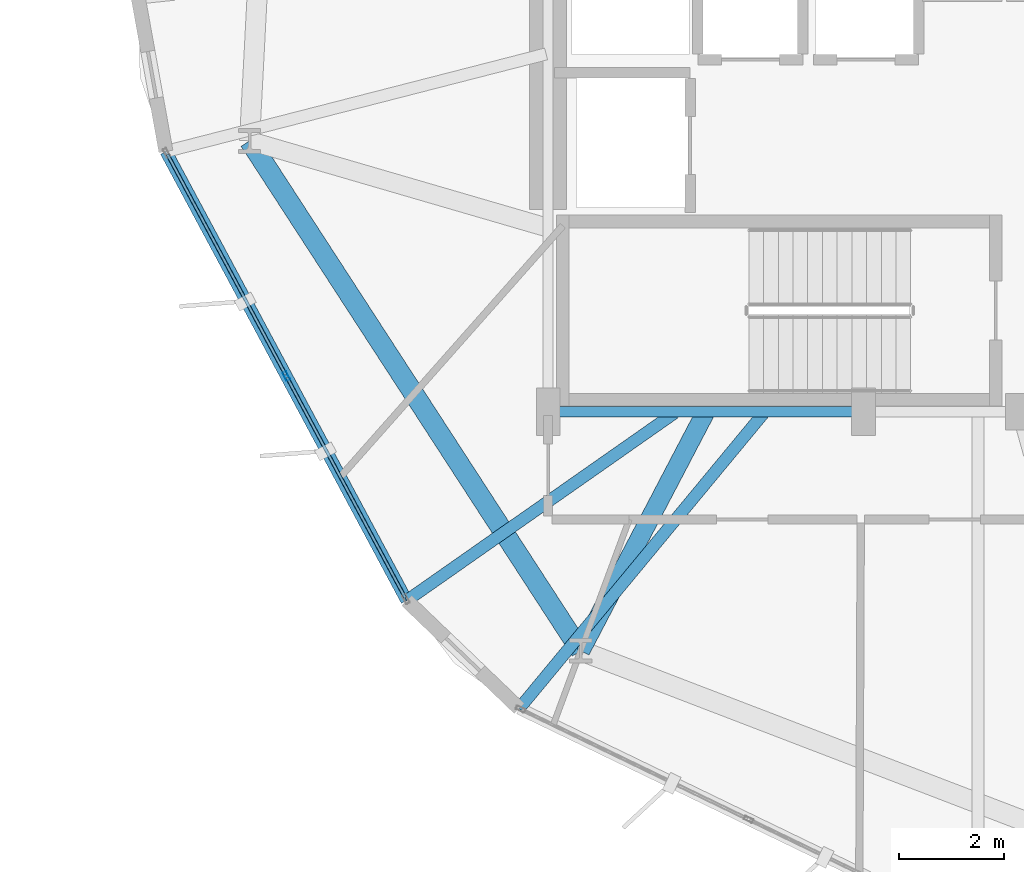
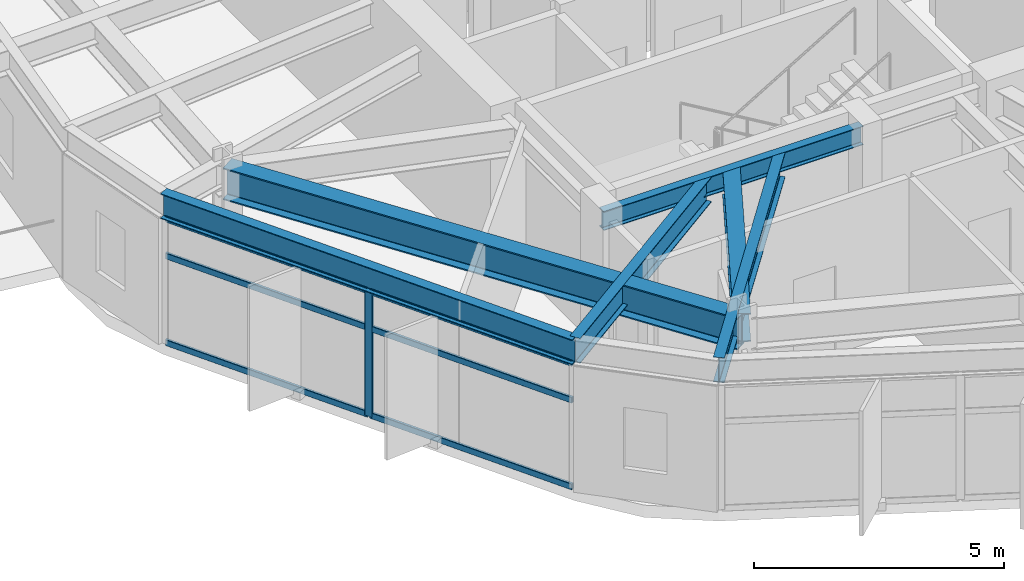
# One storey, part 3 of 22: 7 members, 6 beams, 1 element without a shape of its own.
"""IFC4 building model written with IfcOpenShell, lengths in metres."""

from ifc_helpers import new_model, si_unit, direction, frame, origin, origin_2d, place, context, subcontext, project, spatial, hollow_rectangle, i_section, extrude, material, layer, layer_set, material_profile, profile_set, type_object, element, aggregate, save


model = new_model("IFC4")

# Units and contexts
model_context = context("Model", 3, precision=1e-05, world=origin(), true_north=direction((0.0, 1.0)))
body_context = subcontext(model_context, "Body", "Model", "MODEL_VIEW")
ifc_project = project(units=[si_unit("LENGTHUNIT", "METRE"), si_unit("AREAUNIT", "SQUARE_METRE"), si_unit("VOLUMEUNIT", "CUBIC_METRE"), si_unit("PLANEANGLEUNIT", "RADIAN"), si_unit("MASSUNIT", "GRAM", prefix="KILO")], contexts=[model_context])

# Site, building, storey
site_placement = place(None, origin())
site = spatial("IfcSite", under=ifc_project, at=site_placement, CompositionType="ELEMENT")
building_placement = place(site_placement, origin())
building = spatial("IfcBuilding", under=site, at=building_placement, Name="Soratama Intermodal Tower", CompositionType="ELEMENT")
storey_placement = place(building_placement, frame((0.0, 0.0, 66.60009765625)))
storey = spatial("IfcBuildingStorey", under=building, at=storey_placement, Name="L15", CompositionType="ELEMENT", Elevation=66.60009765625)

# Beams
ifc_material_1 = material(Name="Structural steel ASTM A992 Grade 50", Category="steel")
ifc_material_profile_1 = material_profile(ifc_material_1, i_section(OverallWidth=0.19091796875, OverallDepth=0.4599609375, WebThickness=0.010009765625, FlangeThickness=0.01611328125, FilletRadius=0.010986328125, at=origin_2d()), Name="W18X55")
ifc_profile_set_1 = profile_set([ifc_material_profile_1], Name="Structural steel ASTM A992 Grade 50")
beam_type_1 = type_object("IfcBeamType", Name="BM-FLR-W18X55", PredefinedType="BEAM", material=ifc_profile_set_1)
beam_1_placement = place(storey_placement, frame((32.60009765625, 15.0, 3.469970703125), z_axis=(1.0, 0.0, 0.0), x_axis=(0.0, 1.0, 0.0)))
element("IfcBeam", 1, at=beam_1_placement, inside=storey, type_object=beam_type_1, Name="BM-L15-CRING-01", PredefinedType="BEAM", context=body_context, shape_type="SweptSolid", body=[
    extrude(i_section(OverallWidth=0.19091796875, OverallDepth=0.4599609375, WebThickness=0.010009765625, FlangeThickness=0.01611328125, FilletRadius=0.010986328125, at=origin_2d()), origin(), (0.0, 0.0, 1.0), 6.0),
])
ifc_material_2 = material(Name="Structural steel ASTM A992 Grade 50", Category="steel")
ifc_material_profile_2 = material_profile(ifc_material_2, i_section(OverallWidth=0.35498046875, OverallDepth=0.695068359375, WebThickness=0.015380859375, FlangeThickness=0.02490234375, FilletRadius=0.01611328125, at=origin_2d()), Name="W27X146")
ifc_profile_set_2 = profile_set([ifc_material_profile_2], Name="Structural steel ASTM A992 Grade 50")
beam_type_2 = type_object("IfcBeamType", Name="BM-RING-W27X146", PredefinedType="BEAM", material=ifc_profile_set_2)
beam_2_placement = place(storey_placement, frame((35.60009765625, 15.0, 3.352294921875), z_axis=(-0.463818619792, -0.885930182314, 0.0), x_axis=(0.885930182314, -0.463818619792, 0.0)))
element("IfcBeam", 2, at=beam_2_placement, inside=storey, type_object=beam_type_2, Name="BM-L15-RAD-07", PredefinedType="BEAM", context=body_context, shape_type="SweptSolid", body=[
    extrude(i_section(OverallWidth=0.35498046875, OverallDepth=0.695068359375, WebThickness=0.015380859375, FlangeThickness=0.02490234375, FilletRadius=0.01611328125, at=origin_2d()), origin(), (0.0, 0.0, 1.0), 5.1337890625),
])
ifc_material_3 = material(Name="Structural steel ASTM A992 Grade 50", Category="steel")
ifc_material_profile_3 = material_profile(ifc_material_3, i_section(OverallWidth=0.382080078125, OverallDepth=0.779052734375, WebThickness=0.01806640625, FlangeThickness=0.030029296875, FilletRadius=0.01806640625, at=origin_2d()), Name="W30X191")
ifc_profile_set_3 = profile_set([ifc_material_profile_3], Name="Structural steel ASTM A992 Grade 50")
beam_type_3 = type_object("IfcBeamType", Name="BM-RING-W30X191", PredefinedType="BEAM", material=ifc_profile_set_3)
beam_3_placement = place(storey_placement, frame((26.91796875, 20.155029296875, 3.310302734375), z_axis=(0.544623370352, -0.838680740489, 0.0), x_axis=(0.838680740489, 0.544623370352, 0.0)))
element("IfcBeam", 3, at=beam_3_placement, inside=storey, type_object=beam_type_3, Name="BM-L15-RING-06", PredefinedType="BEAM", context=body_context, shape_type="SweptSolid", body=[
    extrude(i_section(OverallWidth=0.382080078125, OverallDepth=0.779052734375, WebThickness=0.01806640625, FlangeThickness=0.030029296875, FilletRadius=0.01806640625, at=origin_2d()), origin(), (0.0, 0.0, 1.0), 11.569580078125),
])
ifc_material_4 = material(Name="Structural steel ASTM A992 Grade 50", Category="steel")
ifc_material_profile_4 = material_profile(ifc_material_4, i_section(OverallWidth=0.22900390625, OverallDepth=0.612060546875, WebThickness=0.011962890625, FlangeThickness=0.01953125, FilletRadius=0.012939453125, at=origin_2d()), Name="W24X84")
ifc_profile_set_4 = profile_set([ifc_material_profile_4], Name="Structural steel ASTM A992 Grade 50")
beam_type_4 = type_object("IfcBeamType", Name="BM-SPN-W24X84", PredefinedType="SPANDREL", material=ifc_profile_set_4)
beam_4_placement = place(storey_placement, frame((25.325927734375, 19.952880859375, 3.393798828125), z_axis=(0.472567875196, -0.881294277374, 0.0), x_axis=(0.881294277374, 0.472567875196, 0.0)))
element("IfcBeam", 4, at=beam_4_placement, inside=storey, type_object=beam_type_4, Name="BS-L15-F06", PredefinedType="SPANDREL", context=body_context, shape_type="SweptSolid", body=[
    extrude(i_section(OverallWidth=0.22900390625, OverallDepth=0.612060546875, WebThickness=0.011962890625, FlangeThickness=0.01953125, FilletRadius=0.012939453125, at=origin_2d()), origin(), (0.0, 0.0, 1.0), 9.697998046875),
])
ifc_material_5 = material(Name="Structural steel ASTM A992 Grade 50", Category="steel")
ifc_material_profile_5 = material_profile(ifc_material_5, i_section(OverallWidth=0.22900390625, OverallDepth=0.612060546875, WebThickness=0.011962890625, FlangeThickness=0.01953125, FilletRadius=0.012939453125, at=origin_2d()), Name="W24X84")
ifc_profile_set_5 = profile_set([ifc_material_profile_5], Name="Structural steel ASTM A992 Grade 50")
beam_type_5 = type_object("IfcBeamType", Name="BM-TIE-W24X84", PredefinedType="BEAM", material=ifc_profile_set_5)
beam_5_placement = place(storey_placement, frame((35.006103515625, 14.97705078125, 3.393798828125), z_axis=(-0.819003332306, -0.573788760496, 0.0), x_axis=(0.573788760496, -0.819003332306, 0.0)))
element("IfcBeam", 5, at=beam_5_placement, inside=storey, type_object=beam_type_5, Name="BM-L15-TIE1-06", PredefinedType="BEAM", context=body_context, shape_type="SweptSolid", body=[
    extrude(i_section(OverallWidth=0.22900390625, OverallDepth=0.612060546875, WebThickness=0.011962890625, FlangeThickness=0.01953125, FilletRadius=0.012939453125, at=origin_2d()), origin(), (0.0, 0.0, 1.0), 6.2236328125),
])
beam_6_placement = place(storey_placement, frame((36.697998046875, 14.968994140625, 3.393798828125), z_axis=(-0.637588275951, -0.770377303903, 0.0), x_axis=(0.770377303903, -0.637588275951, 0.0)))
element("IfcBeam", 6, at=beam_6_placement, inside=storey, type_object=beam_type_5, Name="BM-L15-TIE0-07", PredefinedType="BEAM", context=body_context, shape_type="SweptSolid", body=[
    extrude(i_section(OverallWidth=0.22900390625, OverallDepth=0.612060546875, WebThickness=0.011962890625, FlangeThickness=0.01953125, FilletRadius=0.012939453125, at=origin_2d()), origin(), (0.0, 0.0, 1.0), 7.289794921875),
])

# Curtain wall, members
ifc_material_6 = material(Name="Double-glazed aluminium curtain wall", Category="aluminium")
ifc_layer = layer(ifc_material_6, 0.159912109375)
ifc_layer_set = layer_set([ifc_layer], Name="Double-glazed aluminium curtain wall")
curtain_wall_type = type_object("IfcCurtainWallType", Name="CW-SYS-2", PredefinedType="NOTDEFINED", material=ifc_layer_set)
curtain_wall_placement = place(storey_placement, origin())
curtain_wall = element("IfcCurtainWall", 7, at=curtain_wall_placement, inside=storey, type_object=curtain_wall_type, Name="L15 Faceted Curtain Wall F06", PredefinedType="NOTDEFINED")
ifc_material_7 = material(Name="Anodised aluminium AA 6063-T6", Category="aluminium")
ifc_material_profile_6 = material_profile(ifc_material_7, hollow_rectangle(XDim=0.074951171875, YDim=0.179931640625, WallThickness=0.006103515625, InnerFilletRadius=0.006103515625, OuterFilletRadius=0.011962890625, at=origin_2d()), Name="CWM180X75X6")
ifc_profile_set_6 = profile_set([ifc_material_profile_6], Name="Anodised aluminium AA 6063-T6")
member_type_1 = type_object("IfcMemberType", Name="MT-CWM-2", PredefinedType="MULLION", material=ifc_profile_set_6)
member_1_placement = place(storey_placement, frame((27.617431640625, 15.679443359375, 0.0), z_axis=(0.0, 0.0, 1.0), x_axis=(0.881303777176, 0.47255015854, 0.0)))
member_1 = element("IfcMember", 8, at=member_1_placement, type_object=member_type_1, Name="CW-2 mullion 2", PredefinedType="MULLION", context=body_context, shape_type="SweptSolid", body=[
    extrude(hollow_rectangle(XDim=0.074951171875, YDim=0.179931640625, WallThickness=0.006103515625, InnerFilletRadius=0.006103515625, OuterFilletRadius=0.011962890625, at=origin_2d()), origin(), (0.0, 0.0, 1.0), 3.078857421875),
])
ifc_material_8 = material(Name="Anodised aluminium AA 6063-T6", Category="aluminium")
ifc_material_profile_7 = material_profile(ifc_material_8, hollow_rectangle(XDim=0.06494140625, YDim=0.14990234375, WallThickness=0.0048828125, InnerFilletRadius=0.0048828125, OuterFilletRadius=0.010009765625, at=origin_2d()), Name="CWT150X65X5")
ifc_profile_set_7 = profile_set([ifc_material_profile_7], Name="Anodised aluminium AA 6063-T6")
member_type_2 = type_object("IfcMemberType", Name="TT-CWT-1", PredefinedType="USERDEFINED", material=ifc_profile_set_7)
member_2_placement = place(storey_placement, frame((25.3544921875, 19.900146484375, 0.02978515625), z_axis=(0.472538851725, -0.881309839733, 0.0), x_axis=(0.881309839733, 0.472538851725, 0.0)))
member_2 = element("IfcMember", 9, at=member_2_placement, type_object=member_type_2, Name="CW-2 transom 1.1", ObjectType="TRANSOM", PredefinedType="USERDEFINED", context=body_context, shape_type="SweptSolid", body=[
    extrude(hollow_rectangle(XDim=0.06494140625, YDim=0.14990234375, WallThickness=0.0048828125, InnerFilletRadius=0.0048828125, OuterFilletRadius=0.010009765625, at=origin_2d()), origin(), (0.0, 0.0, 1.0), 4.759033203125),
])
member_3_placement = place(storey_placement, frame((25.3544921875, 19.900146484375, 2.14990234375), z_axis=(0.472538851725, -0.881309839733, 0.0), x_axis=(0.881309839733, 0.472538851725, 0.0)))
member_3 = element("IfcMember", 10, at=member_3_placement, type_object=member_type_2, Name="CW-2 transom 1.2", ObjectType="TRANSOM", PredefinedType="USERDEFINED", context=body_context, shape_type="SweptSolid", body=[
    extrude(hollow_rectangle(XDim=0.06494140625, YDim=0.14990234375, WallThickness=0.0048828125, InnerFilletRadius=0.0048828125, OuterFilletRadius=0.010009765625, at=origin_2d()), origin(), (0.0, 0.0, 1.0), 4.759033203125),
])
member_4_placement = place(storey_placement, frame((25.3544921875, 19.900146484375, 3.048828125), z_axis=(0.472538851725, -0.881309839733, 0.0), x_axis=(0.881309839733, 0.472538851725, 0.0)))
member_4 = element("IfcMember", 11, at=member_4_placement, type_object=member_type_2, Name="CW-2 transom 1.3", ObjectType="TRANSOM", PredefinedType="USERDEFINED", context=body_context, shape_type="SweptSolid", body=[
    extrude(hollow_rectangle(XDim=0.06494140625, YDim=0.14990234375, WallThickness=0.0048828125, InnerFilletRadius=0.0048828125, OuterFilletRadius=0.010009765625, at=origin_2d()), origin(), (0.0, 0.0, 1.0), 4.759033203125),
])
member_5_placement = place(storey_placement, frame((27.631591796875, 15.653076171875, 0.02978515625), z_axis=(0.472578696574, -0.881288474646, 0.0), x_axis=(0.881288474646, 0.472578696574, 0.0)))
member_5 = element("IfcMember", 12, at=member_5_placement, type_object=member_type_2, Name="CW-2 transom 2.1", ObjectType="TRANSOM", PredefinedType="USERDEFINED", context=body_context, shape_type="SweptSolid", body=[
    extrude(hollow_rectangle(XDim=0.06494140625, YDim=0.14990234375, WallThickness=0.0048828125, InnerFilletRadius=0.0048828125, OuterFilletRadius=0.010009765625, at=origin_2d()), origin(), (0.0, 0.0, 1.0), 4.759033203125),
])
member_6_placement = place(storey_placement, frame((27.631591796875, 15.653076171875, 2.14990234375), z_axis=(0.472578696574, -0.881288474646, 0.0), x_axis=(0.881288474646, 0.472578696574, 0.0)))
member_6 = element("IfcMember", 13, at=member_6_placement, type_object=member_type_2, Name="CW-2 transom 2.2", ObjectType="TRANSOM", PredefinedType="USERDEFINED", context=body_context, shape_type="SweptSolid", body=[
    extrude(hollow_rectangle(XDim=0.06494140625, YDim=0.14990234375, WallThickness=0.0048828125, InnerFilletRadius=0.0048828125, OuterFilletRadius=0.010009765625, at=origin_2d()), origin(), (0.0, 0.0, 1.0), 4.759033203125),
])
member_7_placement = place(storey_placement, frame((27.631591796875, 15.653076171875, 3.048828125), z_axis=(0.472578696574, -0.881288474646, 0.0), x_axis=(0.881288474646, 0.472578696574, 0.0)))
member_7 = element("IfcMember", 14, at=member_7_placement, type_object=member_type_2, Name="CW-2 transom 2.3", ObjectType="TRANSOM", PredefinedType="USERDEFINED", context=body_context, shape_type="SweptSolid", body=[
    extrude(hollow_rectangle(XDim=0.06494140625, YDim=0.14990234375, WallThickness=0.0048828125, InnerFilletRadius=0.0048828125, OuterFilletRadius=0.010009765625, at=origin_2d()), origin(), (0.0, 0.0, 1.0), 4.759033203125),
])
aggregate(curtain_wall, [member_1, member_2, member_3, member_4, member_5, member_6, member_7])

save(model, "model.ifc")
